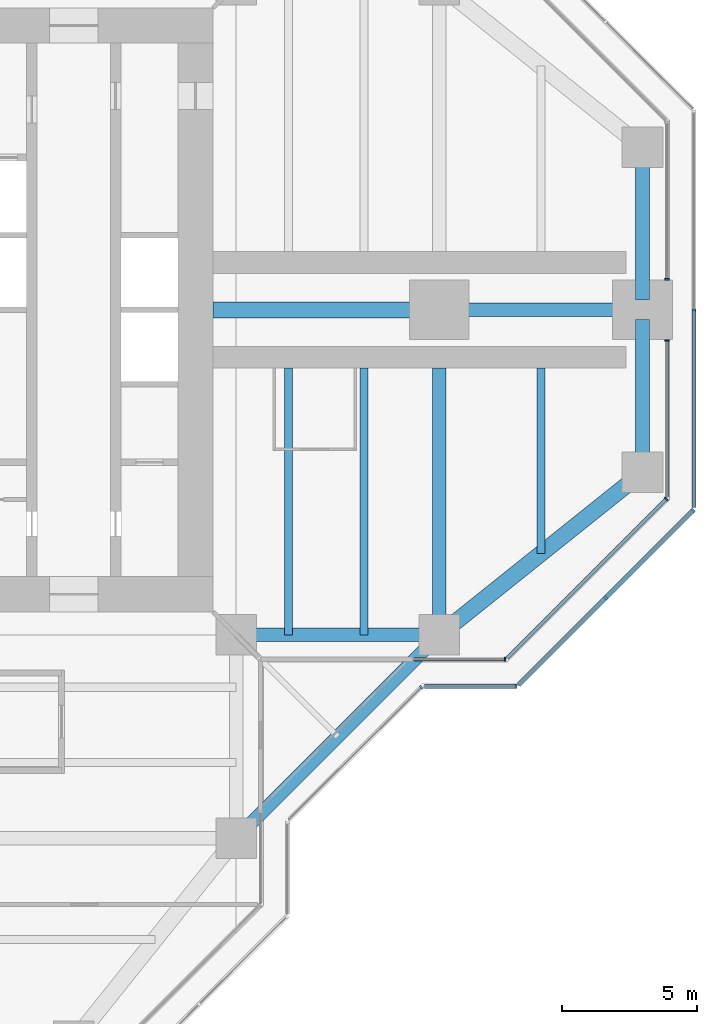
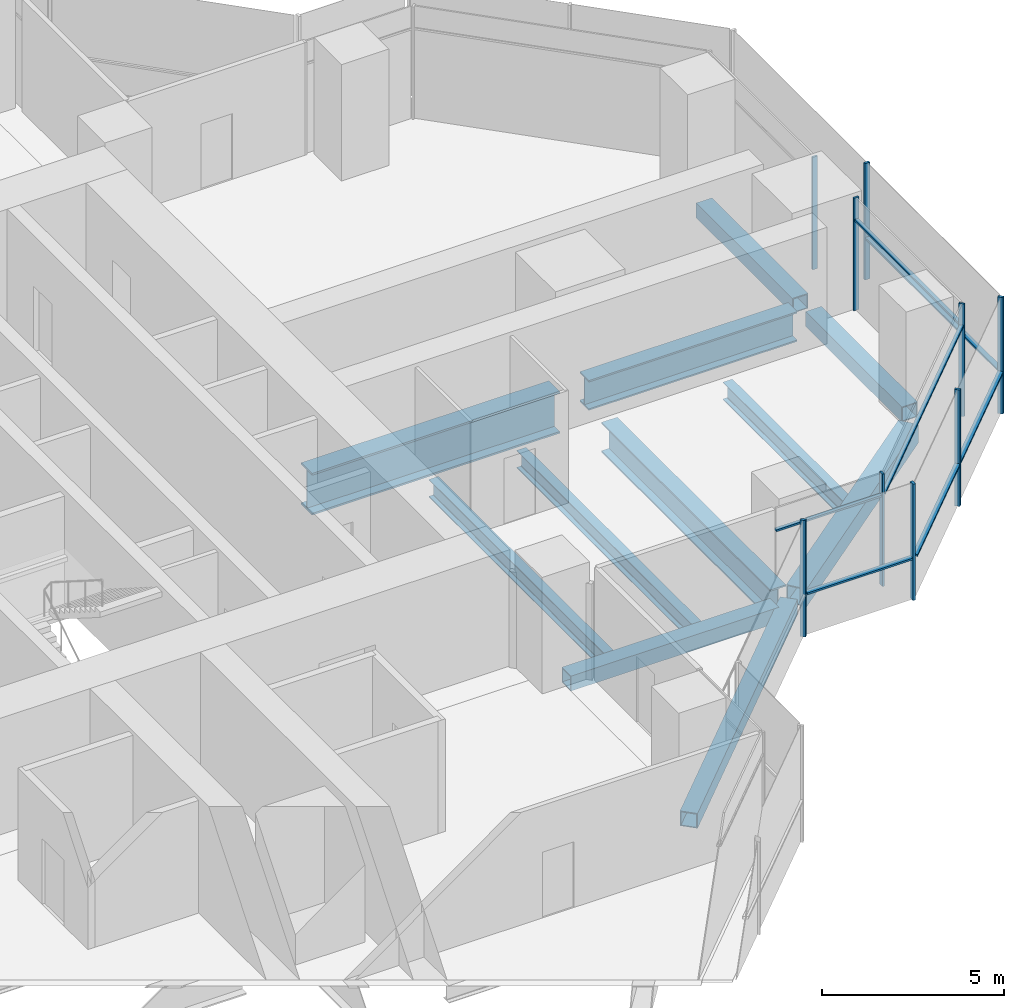
# One storey, part 5 of 17: 16 members, 11 beams, 8 elements without a shape of their own.
"""IFC4 building model written with IfcOpenShell, lengths in metres."""

from ifc_helpers import new_model, si_unit, direction, frame, origin, origin_2d, place, context, subcontext, project, spatial, rectangle, hollow_rectangle, i_section, extrude, material, material_profile, profile_set, type_object, element, aggregate, save


model = new_model("IFC4")

# Units and contexts
model_context = context("Model", 3, precision=1e-05, world=origin(), true_north=direction((0.0, 1.0)))
body_context = subcontext(model_context, "Body", "Model", "MODEL_VIEW")
ifc_project = project(units=[si_unit("LENGTHUNIT", "METRE"), si_unit("AREAUNIT", "SQUARE_METRE"), si_unit("VOLUMEUNIT", "CUBIC_METRE"), si_unit("PLANEANGLEUNIT", "RADIAN"), si_unit("MASSUNIT", "GRAM", prefix="KILO")], contexts=[model_context])

# Site, building, storey
site_placement = place(None, origin())
site = spatial("IfcSite", under=ifc_project, at=site_placement, CompositionType="ELEMENT")
building_placement = place(site_placement, origin())
building = spatial("IfcBuilding", under=site, at=building_placement, Name="Mizan Broadcast Tower", CompositionType="ELEMENT")
storey_placement = place(building_placement, frame((0.0, 0.0, 220.5)))
storey = spatial("IfcBuildingStorey", under=building, at=storey_placement, Name="L51", CompositionType="ELEMENT", Elevation=220.5)

# Beams
ifc_material_1 = material(Name="Steel S355", Category="steel")
ifc_material_profile_1 = material_profile(ifc_material_1, hollow_rectangle(XDim=0.5, YDim=0.5, WallThickness=0.030029296875, at=origin_2d()), Name="BOX 500x500x30")
ifc_profile_set_1 = profile_set([ifc_material_profile_1], Name="Steel S355")
beam_type_1 = type_object("IfcBeamType", Name="EDGE BEAM BOX 500x500x30", PredefinedType="SPANDREL", material=ifc_profile_set_1)
beam_1_placement = place(storey_placement, frame((12.449951171875, -12.0, -0.3798828125), z_axis=(1.0, 0.0, 0.0), x_axis=(0.0, 1.0, 0.0)))
element("IfcBeam", 1, at=beam_1_placement, inside=storey, type_object=beam_type_1, Name="Edge beam BOX 500x500x30 L51 east arm", PredefinedType="SPANDREL", context=body_context, shape_type="SweptSolid", body=[
    extrude(hollow_rectangle(XDim=0.5, YDim=0.5, WallThickness=0.030029296875, at=origin_2d()), origin(), (0.0, 0.0, 1.0), 6.60009765625),
])
for number, where, z_axis, x_axis, name in (
    (2, (27.0, -5.639892578125, -0.3798828125), (0.0, 1.0, 0.0), (-1.0, 0.0, 0.0), "Edge beam BOX 500x500x30 L51 east arm"),
    (3, (27.0, 5.639892578125, -0.3798828125), (0.0, -1.0, 0.0), (1.0, 0.0, 0.0), "Edge beam BOX 500x500x30 L51 east arm"),
):
    element("IfcBeam", number, at=place(storey_placement, frame(where, z_axis=z_axis, x_axis=x_axis)), inside=storey, type_object=beam_type_1, Name=name, PredefinedType="SPANDREL", context=body_context, shape_type="SweptSolid", body=[
        extrude(hollow_rectangle(XDim=0.5, YDim=0.5, WallThickness=0.030029296875, at=origin_2d()), origin(), (0.0, 0.0, 1.0), 5.27978515625),
    ])
beam_2_placement = place(storey_placement, frame((12.0, -19.5, -0.3798828125), z_axis=(0.707106781187, 0.707106781187, 0.0), x_axis=(-0.707106781187, 0.707106781187, 0.0)))
element("IfcBeam", 4, at=beam_2_placement, inside=storey, type_object=beam_type_1, Name="Winter garden edge beam L51 S", PredefinedType="SPANDREL", context=body_context, shape_type="SweptSolid", body=[
    extrude(hollow_rectangle(XDim=0.5, YDim=0.5, WallThickness=0.030029296875, at=origin_2d()), origin(), (0.0, 0.0, 1.0), 10.606689453125),
])
ifc_material_2 = material(Name="Steel S355", Category="steel")
ifc_material_profile_2 = material_profile(ifc_material_2, hollow_rectangle(XDim=0.60009765625, YDim=0.60009765625, WallThickness=0.030029296875, at=origin_2d()), Name="BOX 600x600x30")
ifc_profile_set_2 = profile_set([ifc_material_profile_2], Name="Steel S355")
beam_type_2 = type_object("IfcBeamType", Name="EDGE BEAM BOX 600x600x30", PredefinedType="SPANDREL", material=ifc_profile_set_2)
beam_3_placement = place(storey_placement, frame((19.949951171875, -11.639892578125, -0.429931640625), z_axis=(0.780885717636, 0.624673911726, 0.0), x_axis=(-0.624673911726, 0.780885717636, 0.0)))
element("IfcBeam", 5, at=beam_3_placement, inside=storey, type_object=beam_type_2, Name="Edge beam BOX 600x600x30 L51 east arm", PredefinedType="SPANDREL", context=body_context, shape_type="SweptSolid", body=[
    extrude(hollow_rectangle(XDim=0.60009765625, YDim=0.60009765625, WallThickness=0.030029296875, at=origin_2d()), origin(), (0.0, 0.0, 1.0), 8.4521484375),
])
ifc_material_3 = material(Name="Steel S460", Category="steel")
ifc_material_profile_3 = material_profile(ifc_material_3, i_section(OverallWidth=0.5, OverallDepth=1.0, WebThickness=0.02490234375, FlangeThickness=0.050048828125, at=origin_2d()), Name="WPG 1000x500")
ifc_profile_set_3 = profile_set([ifc_material_profile_3], Name="Steel S460")
beam_type_3 = type_object("IfcBeamType", Name="GIRDER WPG 1000x500", PredefinedType="BEAM", material=ifc_profile_set_3)
beam_4_placement = place(storey_placement, frame((19.949951171875, 0.0, -0.6298828125), z_axis=(1.0, 0.0, 0.0), x_axis=(0.0, 1.0, 0.0)))
element("IfcBeam", 6, at=beam_4_placement, inside=storey, type_object=beam_type_3, Name="Girder WPG 1000x500 L51 east arm", PredefinedType="BEAM", context=body_context, shape_type="SweptSolid", body=[
    extrude(i_section(OverallWidth=0.5, OverallDepth=1.0, WebThickness=0.02490234375, FlangeThickness=0.050048828125, at=origin_2d()), origin(), (0.0, 0.0, 1.0), 6.60009765625),
])
beam_5_placement = place(storey_placement, frame((19.5, -11.408935546875, -0.6298828125), z_axis=(0.0, 1.0, 0.0), x_axis=(-1.0, 0.0, 0.0)))
element("IfcBeam", 7, at=beam_5_placement, inside=storey, type_object=beam_type_3, Name="Girder WPG 1000x500 L51 east arm", PredefinedType="BEAM", context=body_context, shape_type="SweptSolid", body=[
    extrude(i_section(OverallWidth=0.5, OverallDepth=1.0, WebThickness=0.02490234375, FlangeThickness=0.050048828125, at=origin_2d()), origin(), (0.0, 0.0, 1.0), 9.259033203125),
])
ifc_material_4 = material(Name="Steel S460", Category="steel")
ifc_material_profile_4 = material_profile(ifc_material_4, i_section(OverallWidth=0.60009765625, OverallDepth=1.39990234375, WebThickness=0.02490234375, FlangeThickness=0.06005859375, at=origin_2d()), Name="WPG 1400x600")
ifc_profile_set_4 = profile_set([ifc_material_profile_4], Name="Steel S460")
beam_type_4 = type_object("IfcBeamType", Name="GIRDER WPG 1400x600", PredefinedType="BEAM", material=ifc_profile_set_4)
beam_6_placement = place(storey_placement, frame((11.14990234375, 0.0, -0.830078125), z_axis=(1.0, 0.0, 0.0), x_axis=(0.0, 1.0, 0.0)))
element("IfcBeam", 8, at=beam_6_placement, inside=storey, type_object=beam_type_4, Name="Girder WPG 1400x600 L51 east arm", PredefinedType="BEAM", context=body_context, shape_type="SweptSolid", body=[
    extrude(i_section(OverallWidth=0.60009765625, OverallDepth=1.39990234375, WebThickness=0.02490234375, FlangeThickness=0.06005859375, at=origin_2d()), origin(), (0.0, 0.0, 1.0), 7.84912109375),
])

# Curtain wall, member
ifc_material_5 = material(Name="Aluminium framed glazing", Category="aluminium")
curtain_wall_type_1 = type_object("IfcCurtainWallType", Name="INNER SKIN HIGH ZONE", PredefinedType="USERDEFINED", material=ifc_material_5)
curtain_wall_1_placement = place(storey_placement, origin())
curtain_wall_1 = element("IfcCurtainWall", 9, at=curtain_wall_1_placement, inside=storey, type_object=curtain_wall_type_1, Name="Inner skin high zone L51 E side", ObjectType="INNER SKIN HIGH ZONE", PredefinedType="USERDEFINED")
ifc_material_6 = material(Name="Aluminium, pale anodised", Category="aluminium")
ifc_material_profile_5 = material_profile(ifc_material_6, rectangle(XDim=0.159912109375, YDim=0.06005859375, at=origin_2d()), Name="MULLION 160x60")
ifc_profile_set_5 = profile_set([ifc_material_profile_5], Name="Aluminium, pale anodised")
member_type_1 = type_object("IfcMemberType", Name="INNER SKIN MULLION 60x160", PredefinedType="MULLION", material=ifc_profile_set_5)
member_1_placement = place(storey_placement, frame((21.928466796875, -12.89990234375, 0.0), z_axis=(0.0, 0.0, 1.0), x_axis=(0.0, 1.0, 0.0)))
member_1 = element("IfcMember", 10, at=member_1_placement, type_object=member_type_1, Name="Inner skin high zone L51 E side mullion 2", PredefinedType="MULLION", context=body_context, shape_type="SweptSolid", body=[
    extrude(rectangle(XDim=0.159912109375, YDim=0.06005859375, at=origin_2d()), origin(), (0.0, 0.0, 1.0), 3.77001953125),
])

curtain_wall_2_placement = place(storey_placement, origin())
curtain_wall_2 = element("IfcCurtainWall", 11, at=curtain_wall_2_placement, inside=storey, type_object=curtain_wall_type_1, Name="Inner skin high zone L51 E chamfer", ObjectType="INNER SKIN HIGH ZONE", PredefinedType="USERDEFINED")
member_2_placement = place(storey_placement, frame((27.87890625, -6.979736328125, 0.0), z_axis=(0.0, 0.0, 1.0), x_axis=(-0.707106781187, 0.707106781187, 0.0)))
member_2 = element("IfcMember", 12, at=member_2_placement, type_object=member_type_1, Name="Inner skin high zone L51 E chamfer mullion 2", PredefinedType="MULLION", context=body_context, shape_type="SweptSolid", body=[
    extrude(rectangle(XDim=0.159912109375, YDim=0.06005859375, at=origin_2d()), origin(), (0.0, 0.0, 1.0), 3.77001953125),
])

curtain_wall_3_placement = place(storey_placement, origin())
curtain_wall_3 = element("IfcCurtainWall", 13, at=curtain_wall_3_placement, inside=storey, type_object=curtain_wall_type_1, Name="Inner skin high zone L51 E end", ObjectType="INNER SKIN HIGH ZONE", PredefinedType="USERDEFINED")
member_3_placement = place(storey_placement, frame((27.89990234375, -1.1298828125, 0.0), z_axis=(0.0, 0.0, 1.0), x_axis=(-1.0, 0.0, 0.0)))
member_3 = element("IfcMember", 14, at=member_3_placement, type_object=member_type_1, Name="Inner skin high zone L51 E end mullion 2", PredefinedType="MULLION", context=body_context, shape_type="SweptSolid", body=[
    extrude(rectangle(XDim=0.159912109375, YDim=0.06005859375, at=origin_2d()), origin(), (0.0, 0.0, 1.0), 3.77001953125),
])

curtain_wall_4_placement = place(storey_placement, origin())
curtain_wall_4 = element("IfcCurtainWall", 15, at=curtain_wall_4_placement, inside=storey, type_object=curtain_wall_type_1, Name="Inner skin high zone L51 E end", ObjectType="INNER SKIN HIGH ZONE", PredefinedType="USERDEFINED")
member_4_placement = place(storey_placement, frame((27.89990234375, 1.1298828125, 0.0), z_axis=(0.0, 0.0, 1.0), x_axis=(-1.0, 0.0, 0.0)))
member_4 = element("IfcMember", 16, at=member_4_placement, type_object=member_type_1, Name="Inner skin high zone L51 E end mullion 1", PredefinedType="MULLION", context=body_context, shape_type="SweptSolid", body=[
    extrude(rectangle(XDim=0.159912109375, YDim=0.06005859375, at=origin_2d()), origin(), (0.0, 0.0, 1.0), 3.77001953125),
])
aggregate(curtain_wall_4, [member_4])

# Member
ifc_material_7 = material(Name="Aluminium, pale anodised", Category="aluminium")
ifc_material_profile_6 = material_profile(ifc_material_7, rectangle(XDim=0.1201171875, YDim=0.06005859375, at=origin_2d()), Name="TRANSOM 120x60")
ifc_profile_set_6 = profile_set([ifc_material_profile_6], Name="Aluminium, pale anodised")
member_type_2 = type_object("IfcMemberType", Name="INNER SKIN TRANSOM 60x120", PredefinedType="USERDEFINED", material=ifc_profile_set_6)
member_5_placement = place(storey_placement, frame((18.56005859375, -12.89990234375, 3.030029296875), z_axis=(1.0, 0.0, 0.0), x_axis=(0.0, 1.0, 0.0)))
member_5 = element("IfcMember", 17, at=member_5_placement, type_object=member_type_2, Name="Inner skin high zone L51 E side transom 1.1", ObjectType="TRANSOM", PredefinedType="USERDEFINED", context=body_context, shape_type="SweptSolid", body=[
    extrude(rectangle(XDim=0.1201171875, YDim=0.06005859375, at=origin_2d()), origin(), (0.0, 0.0, 1.0), 3.338623046875),
])

aggregate(curtain_wall_1, [member_1, member_5])

member_6_placement = place(storey_placement, frame((22.0009765625, -12.857666015625, 3.030029296875), z_axis=(0.707106781187, 0.707106781187, 0.0), x_axis=(-0.707106781187, 0.707106781187, 0.0)))
member_6 = element("IfcMember", 18, at=member_6_placement, type_object=member_type_2, Name="Inner skin high zone L51 E chamfer transom 1.1", ObjectType="TRANSOM", PredefinedType="USERDEFINED", context=body_context, shape_type="SweptSolid", body=[
    extrude(rectangle(XDim=0.1201171875, YDim=0.06005859375, at=origin_2d()), origin(), (0.0, 0.0, 1.0), 8.28271484375),
])

aggregate(curtain_wall_2, [member_2, member_6])

member_7_placement = place(storey_placement, frame((27.89990234375, -6.898681640625, 3.030029296875), z_axis=(0.0, 1.0, 0.0), x_axis=(-1.0, 0.0, 0.0)))
member_7 = element("IfcMember", 19, at=member_7_placement, type_object=member_type_2, Name="Inner skin high zone L51 E end transom 1.1", ObjectType="TRANSOM", PredefinedType="USERDEFINED", context=body_context, shape_type="SweptSolid", body=[
    extrude(rectangle(XDim=0.1201171875, YDim=0.06005859375, at=origin_2d()), origin(), (0.0, 0.0, 1.0), 5.73876953125),
])

aggregate(curtain_wall_3, [member_3, member_7])

# Curtain wall, members
ifc_material_8 = material(Name="Aluminium framed glazing", Category="aluminium")
curtain_wall_type_2 = type_object("IfcCurtainWallType", Name="OUTER SKIN", PredefinedType="USERDEFINED", material=ifc_material_8)
curtain_wall_5_placement = place(storey_placement, origin())
curtain_wall_5 = element("IfcCurtainWall", 20, at=curtain_wall_5_placement, inside=storey, type_object=curtain_wall_type_2, Name="Outer skin L51 E chamfer", ObjectType="OUTER SKIN", PredefinedType="USERDEFINED")
ifc_material_9 = material(Name="Aluminium, pale anodised", Category="aluminium")
ifc_material_profile_7 = material_profile(ifc_material_9, rectangle(XDim=0.159912109375, YDim=0.080078125, at=origin_2d()), Name="MULLION 160x80")
ifc_profile_set_7 = profile_set([ifc_material_profile_7], Name="Aluminium, pale anodised")
member_type_3 = type_object("IfcMemberType", Name="OUTER SKIN MULLION 80x160", PredefinedType="MULLION", material=ifc_profile_set_7)
member_8_placement = place(storey_placement, frame((25.636474609375, -10.636474609375, 0.0), z_axis=(0.0, 0.0, 1.0), x_axis=(-0.707106781187, 0.707106781187, 0.0)))
member_8 = element("IfcMember", 21, at=member_8_placement, type_object=member_type_3, Name="Outer skin L51 E chamfer mullion 2", PredefinedType="MULLION", context=body_context, shape_type="SweptSolid", body=[
    extrude(rectangle(XDim=0.159912109375, YDim=0.080078125, at=origin_2d()), origin(), (0.0, 0.0, 1.0), 3.89990234375),
])
member_9_placement = place(storey_placement, frame((28.871826171875, -7.401123046875, 0.0), z_axis=(0.0, 0.0, 1.0), x_axis=(-0.707106781187, 0.707106781187, 0.0)))
member_9 = element("IfcMember", 22, at=member_9_placement, type_object=member_type_3, Name="Outer skin L51 E chamfer mullion 3", PredefinedType="MULLION", context=body_context, shape_type="SweptSolid", body=[
    extrude(rectangle(XDim=0.159912109375, YDim=0.080078125, at=origin_2d()), origin(), (0.0, 0.0, 1.0), 3.89990234375),
])

# Curtain wall, member
curtain_wall_6_placement = place(storey_placement, origin())
curtain_wall_6 = element("IfcCurtainWall", 23, at=curtain_wall_6_placement, inside=storey, type_object=curtain_wall_type_2, Name="Outer skin L51 E end", ObjectType="OUTER SKIN", PredefinedType="USERDEFINED")
member_10_placement = place(storey_placement, frame((28.89990234375, 0.0, 0.0), z_axis=(0.0, 0.0, 1.0), x_axis=(-1.0, 0.0, 0.0)))
member_10 = element("IfcMember", 24, at=member_10_placement, type_object=member_type_3, Name="Outer skin L51 E end mullion 2", PredefinedType="MULLION", context=body_context, shape_type="SweptSolid", body=[
    extrude(rectangle(XDim=0.159912109375, YDim=0.080078125, at=origin_2d()), origin(), (0.0, 0.0, 1.0), 3.89990234375),
])

curtain_wall_7_placement = place(storey_placement, origin())
curtain_wall_7 = element("IfcCurtainWall", 25, at=curtain_wall_7_placement, inside=storey, type_object=curtain_wall_type_2, Name="Outer skin L51 E chamfer", ObjectType="OUTER SKIN", PredefinedType="USERDEFINED")
member_11_placement = place(storey_placement, frame((18.844482421875, -13.92822265625, 0.0), z_axis=(0.0, 0.0, 1.0), x_axis=(-0.707106781187, 0.707106781187, 0.0)))
member_11 = element("IfcMember", 26, at=member_11_placement, type_object=member_type_3, Name="Outer skin L51 E chamfer mullion 2", PredefinedType="MULLION", context=body_context, shape_type="SweptSolid", body=[
    extrude(rectangle(XDim=0.159912109375, YDim=0.080078125, at=origin_2d()), origin(), (0.0, 0.0, 1.0), 3.89990234375),
])
aggregate(curtain_wall_7, [member_11])

curtain_wall_8_placement = place(storey_placement, origin())
curtain_wall_8 = element("IfcCurtainWall", 27, at=curtain_wall_8_placement, inside=storey, type_object=curtain_wall_type_2, Name="Outer skin L51 E side", ObjectType="OUTER SKIN", PredefinedType="USERDEFINED")
member_12_placement = place(storey_placement, frame((22.332763671875, -13.89990234375, 0.0), z_axis=(0.0, 0.0, 1.0), x_axis=(0.0, 1.0, 0.0)))
member_12 = element("IfcMember", 28, at=member_12_placement, type_object=member_type_3, Name="Outer skin L51 E side mullion 2", PredefinedType="MULLION", context=body_context, shape_type="SweptSolid", body=[
    extrude(rectangle(XDim=0.159912109375, YDim=0.080078125, at=origin_2d()), origin(), (0.0, 0.0, 1.0), 3.89990234375),
])

# Member
ifc_material_10 = material(Name="Aluminium, pale anodised", Category="aluminium")
ifc_material_profile_8 = material_profile(ifc_material_10, rectangle(XDim=0.159912109375, YDim=0.06005859375, at=origin_2d()), Name="TRANSOM 160x60")
ifc_profile_set_8 = profile_set([ifc_material_profile_8], Name="Aluminium, pale anodised")
member_type_4 = type_object("IfcMemberType", Name="OUTER SKIN TRANSOM 60x160", PredefinedType="USERDEFINED", material=ifc_profile_set_8)
member_13_placement = place(storey_placement, frame((22.429443359375, -13.843505859375, 1.39990234375), z_axis=(0.707106781187, 0.707106781187, 0.0), x_axis=(-0.707106781187, 0.707106781187, 0.0)))
member_13 = element("IfcMember", 29, at=member_13_placement, type_object=member_type_4, Name="Outer skin L51 E chamfer transom 1.1", ObjectType="TRANSOM", PredefinedType="USERDEFINED", context=body_context, shape_type="SweptSolid", body=[
    extrude(rectangle(XDim=0.159912109375, YDim=0.06005859375, at=origin_2d()), origin(), (0.0, 0.0, 1.0), 4.495361328125),
])

member_14_placement = place(storey_placement, frame((25.664794921875, -10.608154296875, 1.39990234375), z_axis=(0.707106781187, 0.707106781187, 0.0), x_axis=(-0.707106781187, 0.707106781187, 0.0)))
member_14 = element("IfcMember", 30, at=member_14_placement, type_object=member_type_4, Name="Outer skin L51 E chamfer transom 2.1", ObjectType="TRANSOM", PredefinedType="USERDEFINED", context=body_context, shape_type="SweptSolid", body=[
    extrude(rectangle(XDim=0.159912109375, YDim=0.06005859375, at=origin_2d()), origin(), (0.0, 0.0, 1.0), 4.495361328125),
])

aggregate(curtain_wall_5, [member_8, member_9, member_13, member_14])

member_15_placement = place(storey_placement, frame((28.89990234375, -7.292724609375, 1.39990234375), z_axis=(0.0, 1.0, 0.0), x_axis=(-1.0, 0.0, 0.0)))
member_15 = element("IfcMember", 31, at=member_15_placement, type_object=member_type_4, Name="Outer skin L51 E end transom 1.1", ObjectType="TRANSOM", PredefinedType="USERDEFINED", context=body_context, shape_type="SweptSolid", body=[
    extrude(rectangle(XDim=0.159912109375, YDim=0.06005859375, at=origin_2d()), origin(), (0.0, 0.0, 1.0), 7.252685546875),
])

aggregate(curtain_wall_6, [member_10, member_15])

member_16_placement = place(storey_placement, frame((18.952880859375, -13.89990234375, 1.39990234375), z_axis=(1.0, 0.0, 0.0), x_axis=(0.0, 1.0, 0.0)))
member_16 = element("IfcMember", 32, at=member_16_placement, type_object=member_type_4, Name="Outer skin L51 E side transom 1.1", ObjectType="TRANSOM", PredefinedType="USERDEFINED", context=body_context, shape_type="SweptSolid", body=[
    extrude(rectangle(XDim=0.159912109375, YDim=0.06005859375, at=origin_2d()), origin(), (0.0, 0.0, 1.0), 3.33984375),
])

aggregate(curtain_wall_8, [member_12, member_16])

# Beams
ifc_material_11 = material(Name="Steel S355", Category="steel")
ifc_material_profile_9 = material_profile(ifc_material_11, i_section(OverallWidth=0.300048828125, OverallDepth=0.590087890625, WebThickness=0.012939453125, FlangeThickness=0.02490234375, FilletRadius=0.027099609375, at=origin_2d()), Name="HEA 600")
ifc_profile_set_9 = profile_set([ifc_material_profile_9], Name="Steel S355")
beam_type_5 = type_object("IfcBeamType", Name="SECONDARY BEAM HEA 600", PredefinedType="JOIST", material=ifc_profile_set_9)
for number, where, z_axis, x_axis, name in (
    (33, (13.933349609375, -12.0, -0.425048828125), (0.0, 1.0, 0.0), (-1.0, 0.0, 0.0), "Secondary beam HEA 600 L51 east arm"),
    (34, (16.716552734375, -12.0, -0.425048828125), (0.0, 1.0, 0.0), (-1.0, 0.0, 0.0), "Secondary beam HEA 600 L51 east arm"),
):
    element("IfcBeam", number, at=place(storey_placement, frame(where, z_axis=z_axis, x_axis=x_axis)), inside=storey, type_object=beam_type_5, Name=name, PredefinedType="JOIST", context=body_context, shape_type="SweptSolid", body=[
        extrude(i_section(OverallWidth=0.300048828125, OverallDepth=0.590087890625, WebThickness=0.012939453125, FlangeThickness=0.02490234375, FilletRadius=0.027099609375, at=origin_2d()), origin(), (0.0, 0.0, 1.0), 9.85009765625),
    ])
beam_7_placement = place(storey_placement, frame((23.25, -9.0, -0.425048828125), z_axis=(0.0, 1.0, 0.0), x_axis=(-1.0, 0.0, 0.0)))
element("IfcBeam", 35, at=beam_7_placement, inside=storey, type_object=beam_type_5, Name="Secondary beam HEA 600 L51 east arm", PredefinedType="JOIST", context=body_context, shape_type="SweptSolid", body=[
    extrude(i_section(OverallWidth=0.300048828125, OverallDepth=0.590087890625, WebThickness=0.012939453125, FlangeThickness=0.02490234375, FilletRadius=0.027099609375, at=origin_2d()), origin(), (0.0, 0.0, 1.0), 6.85009765625),
])

save(model, "model.ifc")
